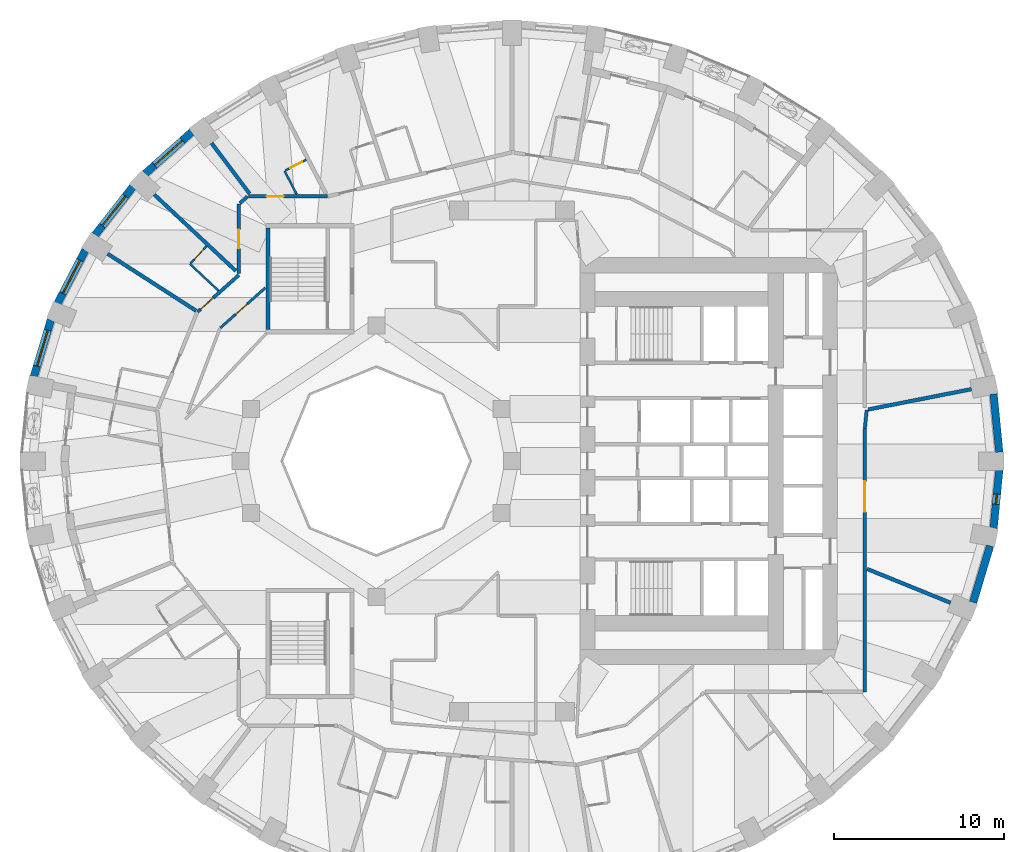
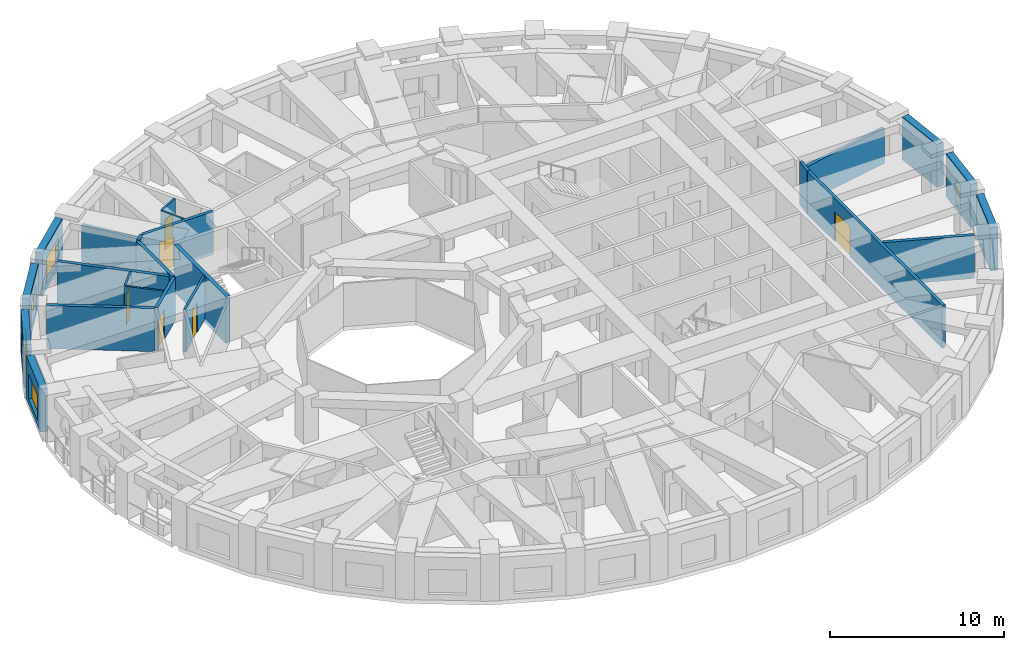
# One storey, part 7 of 13: 24 walls, 7 doors, 5 windows, 12 openings.
"""IFC4 building model written with IfcOpenShell, lengths in metres."""

import ifcopenshell
import ifcopenshell.guid

model = None  # the IFC model being written
_history = None  # IfcOwnerHistory: only IFC2X3 demands one
_inside = {}  # id of a spatial element -> (the spatial element, [elements in it])
_under = {}  # id of a project, library or spatial element -> (it, [spatial elements below it])
_declared = {}  # id of a project -> (the project, [libraries it declares])
_typed = {}  # id of a type object -> (the type object, [elements of that type])
_made_of = {}  # id of a material, layer set ... -> (it, [elements and type objects made of it])


def new_model(schema):
    """Start an empty IFC model of exactly this schema.

    Asked for "IFC4X3", IfcOpenShell would pick the latest addendum, in which some entities
    have other attributes; the version numbers below select the first issue.
    IFC2X3 requires an IfcOwnerHistory on every rooted entity: one is made here for all.
    """
    global model, _history
    if schema == "IFC4X3":
        model = ifcopenshell.file(schema_version=(4, 3, 0, 0))
    else:
        model = ifcopenshell.file(schema=schema)
    _inside.clear()
    _under.clear()
    _declared.clear()
    _typed.clear()
    _made_of.clear()
    _history = None
    if model.schema == "IFC2X3":
        org = make("IfcOrganization", Name="unknown")
        user = make(
            "IfcPersonAndOrganization",
            ThePerson=make("IfcPerson", FamilyName="unknown"),
            TheOrganization=org,
        )
        app = make(
            "IfcApplication",
            ApplicationDeveloper=org,
            Version="unknown",
            ApplicationFullName="unknown",
            ApplicationIdentifier="unknown",
        )
        _history = make(
            "IfcOwnerHistory",
            OwningUser=user,
            OwningApplication=app,
            ChangeAction="ADDED",
            CreationDate=0,
        )
    return model


def make(cls, **values):
    """One entity of the class cls with the attributes given. An attribute that is None is left unset."""
    return model.create_entity(
        cls, **{name: value for name, value in values.items() if value is not None}
    )


def rooted(cls, **values):
    """An entity with a GlobalId (a new one), such as an element, a storey or a relation."""
    return make(cls, GlobalId=ifcopenshell.guid.new(), OwnerHistory=_history, **values)


def si_unit(unit_type, name, prefix=None):
    """IfcSIUnit, for example si_unit("LENGTHUNIT", "METRE", prefix="MILLI")."""
    return make("IfcSIUnit", UnitType=unit_type, Prefix=prefix, Name=name)


def assignment(units):
    """IfcUnitAssignment: the units of a project."""
    return None if units is None else make("IfcUnitAssignment", Units=units)


def point(xyz):
    """IfcCartesianPoint."""
    return None if xyz is None else make("IfcCartesianPoint", Coordinates=xyz)


def direction(xyz):
    """IfcDirection."""
    return None if xyz is None else make("IfcDirection", DirectionRatios=xyz)


def frame(location, z_axis=None, x_axis=None):
    """IfcAxis2Placement3D, a coordinate frame: its origin and axes. An axis left out is left unset."""
    return make(
        "IfcAxis2Placement3D",
        Location=point(location),
        Axis=direction(z_axis),
        RefDirection=direction(x_axis),
    )


def frame_2d(location, x_axis=None):
    """IfcAxis2Placement2D, a coordinate frame in the plane: its origin and x axis."""
    return make(
        "IfcAxis2Placement2D", Location=point(location), RefDirection=direction(x_axis)
    )


def origin():
    """The frame at (0, 0, 0) with its axes left unset."""
    return frame((0.0, 0.0, 0.0))


def place(relative_to, where):
    """IfcLocalPlacement: puts the frame where relative to a parent placement (None: the world)."""
    return make(
        "IfcLocalPlacement", PlacementRelTo=relative_to, RelativePlacement=where
    )


def context(
    kind, dimensions, precision=None, world=None, true_north=None, identifier=None
):
    """IfcGeometricRepresentationContext, for example the 3D "Model" context."""
    return make(
        "IfcGeometricRepresentationContext",
        ContextIdentifier=identifier,
        ContextType=kind,
        CoordinateSpaceDimension=dimensions,
        Precision=precision,
        WorldCoordinateSystem=world,
        TrueNorth=true_north,
    )


def subcontext(parent, identifier, kind, view, scale=None):
    """IfcGeometricRepresentationSubContext, for example "Body" below "Model"."""
    return make(
        "IfcGeometricRepresentationSubContext",
        ContextIdentifier=identifier,
        ContextType=kind,
        ParentContext=parent,
        TargetScale=scale,
        TargetView=view,
    )


def project(units=None, contexts=None):
    """IfcProject with its units and contexts."""
    return rooted(
        "IfcProject",
        Name="project",
        RepresentationContexts=contexts,
        UnitsInContext=assignment(units),
    )


def spatial(cls, under=None, at=None, **own):
    """A site, building, storey or space (cls), placed at a placement, below another one or the project."""
    s = rooted(cls, ObjectPlacement=at, **own)
    if under is not None:
        _under.setdefault(under.id(), (under, []))[1].append(s)
    return s


def profile(cls, at=None, kind="AREA", **sizes):
    """A parametric profile (cls). Its sizes go by their IFC names, for example OverallWidth=200.0."""
    return make(cls, ProfileType=kind, Position=at, **sizes)


def rectangle(**sizes):
    """IfcRectangleProfileDef."""
    return profile("IfcRectangleProfileDef", **sizes)


def extrude(swept, where, along, depth):
    """IfcExtrudedAreaSolid: the profile swept, set in the frame where, extruded along a direction by depth."""
    return make(
        "IfcExtrudedAreaSolid",
        SweptArea=swept,
        Position=where,
        ExtrudedDirection=direction(along),
        Depth=depth,
    )


def shape(context_of_items, identifier, shape_type, items):
    """IfcShapeRepresentation: the items that make up one representation, for example the "Body"."""
    return make(
        "IfcShapeRepresentation",
        ContextOfItems=context_of_items,
        RepresentationIdentifier=identifier,
        RepresentationType=shape_type,
        Items=items,
    )


def material(Name=None, Category=None):
    """IfcMaterial."""
    return make("IfcMaterial", Name=Name, Category=Category)


def layer(
    of_material, thickness, ventilated=None, Name=None, Category=None, Priority=None
):
    """IfcMaterialLayer: one layer of a wall or slab, of a material (None: an air gap)."""
    return make(
        "IfcMaterialLayer",
        Material=of_material,
        LayerThickness=thickness,
        IsVentilated=ventilated,
        Name=Name,
        Category=Category,
        Priority=Priority,
    )


def layer_set(layers, Name=None):
    """IfcMaterialLayerSet."""
    return make("IfcMaterialLayerSet", MaterialLayers=layers, LayerSetName=Name)


def made_of(thing, what):
    """Note that an element or type object is made of a material, layer set ...; save() writes the relation."""
    if what is not None:
        _made_of.setdefault(what.id(), (what, []))[1].append(thing)
    return thing


def type_object(cls, material=None, **own):
    """A type object (cls), such as IfcWallType, which elements share."""
    return made_of(rooted(cls, **own), material)


def element(
    cls,
    number,
    at=None,
    inside=None,
    cuts=None,
    type_object=None,
    material=None,
    context=None,
    identifier="Body",
    shape_type=None,
    held_by="IfcProductDefinitionShape",
    body=None,
    shapes=None,
    **own,
):
    """One element of the class cls, such as IfcWall. Its Tag is "e" and its number.

    at: its placement. inside: the storey or other place that contains it. cuts: it is an
    opening in that element (IfcRelVoidsElement). A single representation is given by context,
    identifier, shape_type and body (its items); several are given by shapes. held_by: the class
    of the entity that holds the representations. save() writes the other relations.
    """
    e = rooted(cls, Tag="e%d" % number, ObjectPlacement=at, **own)
    if body is not None:
        shapes = [shape(context, identifier, shape_type, body)]
    if shapes is not None:
        e.Representation = make(held_by, Representations=shapes)
    if inside is not None:
        _inside.setdefault(inside.id(), (inside, []))[1].append(e)
    if cuts is not None:
        rooted(
            "IfcRelVoidsElement", RelatingBuildingElement=cuts, RelatedOpeningElement=e
        )
    if type_object is not None:
        _typed.setdefault(type_object.id(), (type_object, []))[1].append(e)
    return made_of(e, material)


def fill(opening, filler):
    """IfcRelFillsElement: the door or window that sits in an opening."""
    return rooted(
        "IfcRelFillsElement",
        RelatingOpeningElement=opening,
        RelatedBuildingElement=filler,
    )


def aggregate(whole, parts):
    """IfcRelAggregates: a whole, such as a stair, and the parts it consists of."""
    return rooted("IfcRelAggregates", RelatingObject=whole, RelatedObjects=parts)


def save(model, path):
    """Write the relations noted so far, then the file.

    IfcRelAggregates (storeys below a building ...), IfcRelContainedInSpatialStructure (elements
    in a storey), IfcRelDefinesByType, IfcRelAssociatesMaterial and IfcRelDeclares: one each for
    every whole, place, type object, material and project.
    """
    for whole, parts in _under.values():
        aggregate(whole, parts)
    for where, things in _inside.values():
        rooted(
            "IfcRelContainedInSpatialStructure",
            RelatedElements=things,
            RelatingStructure=where,
        )
    for kind, things in _typed.values():
        rooted("IfcRelDefinesByType", RelatedObjects=things, RelatingType=kind)
    for what, things in _made_of.values():
        rooted("IfcRelAssociatesMaterial", RelatedObjects=things, RelatingMaterial=what)
    for by, libraries in _declared.values():
        rooted("IfcRelDeclares", RelatingContext=by, RelatedDefinitions=libraries)
    model.write(path)


model = new_model("IFC4")

# Units and contexts
model_context = context("Model", 3, precision=1e-05, world=origin(), true_north=direction((0.0, 1.0)))
body_context = subcontext(model_context, "Body", "Model", "MODEL_VIEW")
ifc_project = project(units=[si_unit("LENGTHUNIT", "METRE"), si_unit("AREAUNIT", "SQUARE_METRE"), si_unit("VOLUMEUNIT", "CUBIC_METRE"), si_unit("PLANEANGLEUNIT", "RADIAN"), si_unit("MASSUNIT", "GRAM", prefix="KILO")], contexts=[model_context])

# Site, building, storey
site_placement = place(None, origin())
site = spatial("IfcSite", under=ifc_project, at=site_placement, CompositionType="ELEMENT")
building_placement = place(site_placement, origin())
building = spatial("IfcBuilding", under=site, at=building_placement, Name="Taillehof Tower", CompositionType="ELEMENT")
storey_placement = place(building_placement, frame((0.0, 0.0, 64.60009765625)))
storey = spatial("IfcBuildingStorey", under=building, at=storey_placement, Name="L17", CompositionType="ELEMENT", Elevation=64.60009765625)

# Wall
ifc_material_1 = material(Name="Brick masonry", Category="masonry")
ifc_layer_1 = layer(ifc_material_1, 0.449951171875)
ifc_layer_set_1 = layer_set([ifc_layer_1], Name="Brick infill wall 450")
wall_type_1 = type_object("IfcWallType", Name="Brick infill wall 450", PredefinedType="SOLIDWALL", material=ifc_layer_set_1)
wall_1_placement = place(storey_placement, frame((28.721923828125, 0.530029296875, 0.0), z_axis=(0.0, 0.0, 1.0), x_axis=(-0.097389581596, 0.995246336038, 0.0)))
element("IfcWall", 1, at=wall_1_placement, inside=storey, type_object=wall_type_1, Name="Brick wall L17 bay 1", PredefinedType="SOLIDWALL", context=body_context, shape_type="SweptSolid", body=[
    extrude(rectangle(XDim=3.44189453125, YDim=0.449951171875, at=frame_2d((1.720947265625, 0.0))), origin(), (0.0, 0.0, 1.0), 3.02001953125),
])

# Wall, opening, window
wall_2_placement = place(storey_placement, frame((-18.87060546875, 19.406982421875, 0.0), z_axis=(0.0, 0.0, 1.0), x_axis=(-0.745526233716, -0.66647628228, 0.0)))
wall_2 = element("IfcWall", 2, at=wall_2_placement, inside=storey, type_object=wall_type_1, Name="Brick wall L17 bay 14", PredefinedType="SOLIDWALL", context=body_context, shape_type="SweptSolid", body=[
    extrude(rectangle(XDim=3.69677734375, YDim=0.449951171875, at=frame_2d((1.848388671875, 0.0))), origin(), (0.0, 0.0, 1.0), 3.02001953125),
])
opening_1_placement = place(wall_2_placement, frame((0.74853515625, 0.0, 0.39990234375)))
opening_1 = element("IfcOpeningElement", 3, at=opening_1_placement, cuts=wall_2, Name="Opening W1", PredefinedType="OPENING", context=body_context, shape_type="SweptSolid", body=[
    extrude(rectangle(XDim=2.199951171875, YDim=1.75, at=frame_2d((1.10009765625, 0.875))), frame((0.0, 0.23486328125, 0.0), z_axis=(0.0, -1.0, 0.0), x_axis=(1.0, 0.0, 0.0)), (0.0, 0.0, 1.0), 0.469970703125),
])
ifc_material_2 = material(Name="Aluminium window frame with clear double glazing", Category="aluminium")
window_type_1 = type_object("IfcWindowType", Name="Deep-set window 2200x1750", PartitioningType="SINGLE_PANEL", PredefinedType="WINDOW", material=ifc_material_2)
window_1_placement = place(opening_1_placement, origin())
window_1 = element("IfcWindow", 4, at=window_1_placement, inside=storey, type_object=window_type_1, Name="W1", OverallHeight=1.75, OverallWidth=2.199951171875, PartitioningType="SINGLE_PANEL", PredefinedType="WINDOW", context=body_context, shape_type="SweptSolid", body=[
    extrude(rectangle(XDim=2.199951171875, YDim=1.75, at=frame_2d((1.10009765625, 0.875))), frame((0.0, 0.034912109375, 0.0), z_axis=(0.0, -1.0, 0.0), x_axis=(1.0, 0.0, 0.0)), (0.0, 0.0, 1.0), 0.06005859375),
])
fill(opening_1, window_1)

wall_3_placement = place(storey_placement, frame((-22.3515625, 16.169677734375, 0.0), z_axis=(0.0, 0.0, 1.0), x_axis=(-0.616661975264, -0.787228053529, 0.0)))
wall_3 = element("IfcWall", 5, at=wall_3_placement, inside=storey, type_object=wall_type_1, Name="Brick wall L17 bay 15", PredefinedType="SOLIDWALL", context=body_context, shape_type="SweptSolid", body=[
    extrude(rectangle(XDim=3.60986328125, YDim=0.449951171875, at=frame_2d((1.804931640625, 0.0))), origin(), (0.0, 0.0, 1.0), 3.02001953125),
])
opening_2_placement = place(wall_3_placement, frame((0.704833984375, 0.0, 0.39990234375)))
opening_2 = element("IfcOpeningElement", 6, at=opening_2_placement, cuts=wall_3, Name="Opening W1", PredefinedType="OPENING", context=body_context, shape_type="SweptSolid", body=[
    extrude(rectangle(XDim=2.199951171875, YDim=1.75, at=frame_2d((1.10009765625, 0.875))), frame((0.0, 0.23486328125, 0.0), z_axis=(0.0, -1.0, 0.0), x_axis=(1.0, 0.0, 0.0)), (0.0, 0.0, 1.0), 0.469970703125),
])
window_2_placement = place(opening_2_placement, origin())
window_2 = element("IfcWindow", 7, at=window_2_placement, inside=storey, type_object=window_type_1, Name="W1", OverallHeight=1.75, OverallWidth=2.199951171875, PartitioningType="SINGLE_PANEL", PredefinedType="WINDOW", context=body_context, shape_type="SweptSolid", body=[
    extrude(rectangle(XDim=2.199951171875, YDim=1.75, at=frame_2d((1.10009765625, 0.875))), frame((0.0, 0.034912109375, 0.0), z_axis=(0.0, -1.0, 0.0), x_axis=(1.0, 0.0, 0.0)), (0.0, 0.0, 1.0), 0.06005859375),
])
fill(opening_2, window_2)

wall_4_placement = place(storey_placement, frame((-25.152099609375, 12.436767578125, 0.0), z_axis=(0.0, 0.0, 1.0), x_axis=(-0.462492775226, -0.886623050041, 0.0)))
wall_4 = element("IfcWall", 8, at=wall_4_placement, inside=storey, type_object=wall_type_1, Name="Brick wall L17 bay 16", PredefinedType="SOLIDWALL", context=body_context, shape_type="SweptSolid", body=[
    extrude(rectangle(XDim=3.531982421875, YDim=0.449951171875, at=frame_2d((1.76611328125, 0.0))), origin(), (0.0, 0.0, 1.0), 3.02001953125),
])
opening_3_placement = place(wall_4_placement, frame((0.666015625, 0.0, 0.39990234375)))
opening_3 = element("IfcOpeningElement", 9, at=opening_3_placement, cuts=wall_4, Name="Opening W1", PredefinedType="OPENING", context=body_context, shape_type="SweptSolid", body=[
    extrude(rectangle(XDim=2.199951171875, YDim=1.75, at=frame_2d((1.10009765625, 0.875))), frame((0.0, 0.23486328125, 0.0), z_axis=(0.0, -1.0, 0.0), x_axis=(1.0, 0.0, 0.0)), (0.0, 0.0, 1.0), 0.469970703125),
])
window_3_placement = place(opening_3_placement, origin())
window_3 = element("IfcWindow", 10, at=window_3_placement, inside=storey, type_object=window_type_1, Name="W1", OverallHeight=1.75, OverallWidth=2.199951171875, PartitioningType="SINGLE_PANEL", PredefinedType="WINDOW", context=body_context, shape_type="SweptSolid", body=[
    extrude(rectangle(XDim=2.199951171875, YDim=1.75, at=frame_2d((1.10009765625, 0.875))), frame((0.0, 0.034912109375, 0.0), z_axis=(0.0, -1.0, 0.0), x_axis=(1.0, 0.0, 0.0)), (0.0, 0.0, 1.0), 0.06005859375),
])
fill(opening_3, window_3)

wall_5_placement = place(storey_placement, frame((-27.184814453125, 8.322998046875, 0.0), z_axis=(0.0, 0.0, 1.0), x_axis=(-0.287064133733, -0.957911364963, 0.0)))
wall_5 = element("IfcWall", 11, at=wall_5_placement, inside=storey, type_object=wall_type_1, Name="Brick wall L17 bay 17", PredefinedType="SOLIDWALL", context=body_context, shape_type="SweptSolid", body=[
    extrude(rectangle(XDim=3.473388671875, YDim=0.449951171875, at=frame_2d((1.73681640625, 0.0))), origin(), (0.0, 0.0, 1.0), 3.02001953125),
])
opening_4_placement = place(wall_5_placement, frame((0.63671875, 0.0, 0.39990234375)))
opening_4 = element("IfcOpeningElement", 12, at=opening_4_placement, cuts=wall_5, Name="Opening W1", PredefinedType="OPENING", context=body_context, shape_type="SweptSolid", body=[
    extrude(rectangle(XDim=2.199951171875, YDim=1.75, at=frame_2d((1.10009765625, 0.875))), frame((0.0, 0.23486328125, 0.0), z_axis=(0.0, -1.0, 0.0), x_axis=(1.0, 0.0, 0.0)), (0.0, 0.0, 1.0), 0.469970703125),
])
window_4_placement = place(opening_4_placement, origin())
window_4 = element("IfcWindow", 13, at=window_4_placement, inside=storey, type_object=window_type_1, Name="W1", OverallHeight=1.75, OverallWidth=2.199951171875, PartitioningType="SINGLE_PANEL", PredefinedType="WINDOW", context=body_context, shape_type="SweptSolid", body=[
    extrude(rectangle(XDim=2.199951171875, YDim=1.75, at=frame_2d((1.10009765625, 0.875))), frame((0.0, 0.034912109375, 0.0), z_axis=(0.0, -1.0, 0.0), x_axis=(1.0, 0.0, 0.0)), (0.0, 0.0, 1.0), 0.06005859375),
])
fill(opening_4, window_4)

# Wall
wall_6_placement = place(storey_placement, frame((27.184814453125, -8.322998046875, 0.0), z_axis=(0.0, 0.0, 1.0), x_axis=(0.287064133733, 0.957911364963, 0.0)))
element("IfcWall", 14, at=wall_6_placement, inside=storey, type_object=wall_type_1, Name="Brick wall L17 bay 35", PredefinedType="SOLIDWALL", context=body_context, shape_type="SweptSolid", body=[
    extrude(rectangle(XDim=3.473388671875, YDim=0.449951171875, at=frame_2d((1.73681640625, 0.0))), origin(), (0.0, 0.0, 1.0), 3.02001953125),
])

# Wall, opening, window
wall_7_placement = place(storey_placement, frame((28.38671875, -3.95556640625, 0.0), z_axis=(0.0, 0.0, 1.0), x_axis=(0.097389581596, 0.995246336038, 0.0)))
wall_7 = element("IfcWall", 15, at=wall_7_placement, inside=storey, type_object=wall_type_1, Name="Brick wall L17 bay 36", PredefinedType="SOLIDWALL", context=body_context, shape_type="SweptSolid", body=[
    extrude(rectangle(XDim=3.44189453125, YDim=0.449951171875, at=frame_2d((1.720947265625, 0.0))), origin(), (0.0, 0.0, 1.0), 3.02001953125),
])
opening_5_placement = place(wall_7_placement, frame((1.4208984375, 0.0, 0.39990234375)))
opening_5 = element("IfcOpeningElement", 16, at=opening_5_placement, cuts=wall_7, Name="Opening W6", PredefinedType="OPENING", context=body_context, shape_type="SweptSolid", body=[
    extrude(rectangle(XDim=0.60009765625, YDim=1.75, at=frame_2d((0.300048828125, 0.875))), frame((0.0, 0.23486328125, 0.0), z_axis=(0.0, -1.0, 0.0), x_axis=(1.0, 0.0, 0.0)), (0.0, 0.0, 1.0), 0.469970703125),
])
ifc_material_3 = material(Name="Aluminium window frame with clear double glazing", Category="aluminium")
window_type_2 = type_object("IfcWindowType", Name="Slot window 600x1750", PartitioningType="SINGLE_PANEL", PredefinedType="WINDOW", material=ifc_material_3)
window_5_placement = place(opening_5_placement, origin())
window_5 = element("IfcWindow", 17, at=window_5_placement, inside=storey, type_object=window_type_2, Name="W6", OverallHeight=1.75, OverallWidth=0.60009765625, PartitioningType="SINGLE_PANEL", PredefinedType="WINDOW", context=body_context, shape_type="SweptSolid", body=[
    extrude(rectangle(XDim=0.60009765625, YDim=1.75, at=frame_2d((0.300048828125, 0.875))), frame((0.0, 0.034912109375, 0.0), z_axis=(0.0, -1.0, 0.0), x_axis=(1.0, 0.0, 0.0)), (0.0, 0.0, 1.0), 0.06005859375),
])
fill(opening_5, window_5)

# Wall
ifc_material_4 = material(Name="Gypsum board on steel studs, two layers each side", Category="steel")
ifc_layer_2 = layer(ifc_material_4, 0.199951171875)
ifc_layer_set_2 = layer_set([ifc_layer_2], Name="Compartment wall corridor 200")
wall_type_2 = type_object("IfcWallType", Name="Compartment wall corridor 200", PredefinedType="PARTITIONING", material=ifc_layer_set_2)
wall_8_placement = place(storey_placement, frame((20.906005859375, 3.009521484375, 0.0), z_axis=(0.0, 0.0, 1.0), x_axis=(-0.09782971129, -0.995203169001, 0.0)))
element("IfcWall", 18, at=wall_8_placement, inside=storey, type_object=wall_type_2, Name="Compartment wall", PredefinedType="PARTITIONING", context=body_context, shape_type="SweptSolid", body=[
    extrude(rectangle(XDim=1.0830078125, YDim=0.199951171875, at=frame_2d((0.54150390625, 0.0))), origin(), (0.0, 0.0, 1.0), 3.02001953125),
])

# Wall, opening, door
wall_9_placement = place(storey_placement, frame((20.800048828125, 1.91162109375, 0.0), z_axis=(0.0, 0.0, 1.0), x_axis=(0.0, -1.0, 0.0)))
wall_9 = element("IfcWall", 19, at=wall_9_placement, inside=storey, type_object=wall_type_2, Name="Compartment wall", PredefinedType="PARTITIONING", context=body_context, shape_type="SweptSolid", body=[
    extrude(rectangle(XDim=15.51171875, YDim=0.199951171875, at=frame_2d((7.755859375, 0.0))), origin(), (0.0, 0.0, 1.0), 3.02001953125),
])
opening_6_placement = place(wall_9_placement, frame((3.109619140625, 0.0, 0.0)))
opening_6 = element("IfcOpeningElement", 20, at=opening_6_placement, cuts=wall_9, Name="Opening D1776", PredefinedType="OPENING", context=body_context, shape_type="SweptSolid", body=[
    extrude(rectangle(XDim=1.800048828125, YDim=2.10009765625, at=frame_2d((0.89990234375, 1.050048828125))), frame((0.0, 0.10986328125, 0.0), z_axis=(0.0, -1.0, 0.0), x_axis=(1.0, 0.0, 0.0)), (0.0, 0.0, 1.0), 0.219970703125),
])
ifc_material_5 = material(Name="Timber door leaf in steel frame", Category="steel")
door_type_1 = type_object("IfcDoorType", Name="Lounge and meeting room double door EI 30 1800 x 2100", OperationType="SINGLE_SWING_LEFT", PredefinedType="DOOR", material=ifc_material_5)
door_1_placement = place(opening_6_placement, origin())
door_1 = element("IfcDoor", 21, at=door_1_placement, inside=storey, type_object=door_type_1, Name="D1776", OperationType="DOUBLE_DOOR_SINGLE_SWING", OverallHeight=2.10009765625, OverallWidth=1.800048828125, PredefinedType="DOOR", context=body_context, shape_type="SweptSolid", body=[
    extrude(rectangle(XDim=1.800048828125, YDim=2.10009765625, at=frame_2d((0.89990234375, 1.050048828125))), frame((0.0, 0.02490234375, 0.0), z_axis=(0.0, -1.0, 0.0), x_axis=(1.0, 0.0, 0.0)), (0.0, 0.0, 1.0), 0.050048828125),
])
fill(opening_6, door_1)

wall_10_placement = place(storey_placement, frame((-18.527099609375, 8.8037109375, 0.0), z_axis=(0.0, 0.0, 1.0), x_axis=(0.746493000154, 0.665393267716, 0.0)))
wall_10 = element("IfcWall", 22, at=wall_10_placement, inside=storey, type_object=wall_type_2, Name="Compartment wall", PredefinedType="PARTITIONING", context=body_context, shape_type="SweptSolid", body=[
    extrude(rectangle(XDim=3.251220703125, YDim=0.199951171875, at=frame_2d((1.62548828125, 0.0))), origin(), (0.0, 0.0, 1.0), 3.02001953125),
])
opening_7_placement = place(wall_10_placement, frame((0.219970703125, 0.0, 0.0)))
opening_7 = element("IfcOpeningElement", 23, at=opening_7_placement, cuts=wall_10, Name="Opening D1753", PredefinedType="OPENING", context=body_context, shape_type="SweptSolid", body=[
    extrude(rectangle(XDim=1.0, YDim=2.10009765625, at=frame_2d((0.5, 1.050048828125))), frame((0.0, 0.10986328125, 0.0), z_axis=(0.0, -1.0, 0.0), x_axis=(1.0, 0.0, 0.0)), (0.0, 0.0, 1.0), 0.219970703125),
])
ifc_material_6 = material(Name="Timber door leaf in steel frame", Category="steel")
door_type_2 = type_object("IfcDoorType", Name="Guest room door EI 30 1000 x 2100", OperationType="SINGLE_SWING_LEFT", PredefinedType="DOOR", material=ifc_material_6)
door_2_placement = place(opening_7_placement, origin())
door_2 = element("IfcDoor", 24, at=door_2_placement, inside=storey, type_object=door_type_2, Name="D1753", OperationType="SINGLE_SWING_LEFT", OverallHeight=2.10009765625, OverallWidth=1.0, PredefinedType="DOOR", context=body_context, shape_type="SweptSolid", body=[
    extrude(rectangle(XDim=1.0, YDim=2.10009765625, at=frame_2d((0.5, 1.050048828125))), frame((0.0, 0.02490234375, 0.0), z_axis=(0.0, -1.0, 0.0), x_axis=(1.0, 0.0, 0.0)), (0.0, 0.0, 1.0), 0.050048828125),
])
fill(opening_7, door_2)

wall_11_placement = place(storey_placement, frame((-16.10009765625, 11.047119140625, 0.0), z_axis=(0.0, 0.0, 1.0), x_axis=(0.0, 1.0, 0.0)))
wall_11 = element("IfcWall", 25, at=wall_11_placement, inside=storey, type_object=wall_type_2, Name="Compartment wall", PredefinedType="PARTITIONING", context=body_context, shape_type="SweptSolid", body=[
    extrude(rectangle(XDim=4.096923828125, YDim=0.199951171875, at=frame_2d((2.04833984375, 0.0))), origin(), (0.0, 0.0, 1.0), 3.02001953125),
])
opening_8_placement = place(wall_11_placement, frame((1.49853515625, 0.0, 0.0)))
opening_8 = element("IfcOpeningElement", 26, at=opening_8_placement, cuts=wall_11, Name="Opening D1752", PredefinedType="OPENING", context=body_context, shape_type="SweptSolid", body=[
    extrude(rectangle(XDim=1.10009765625, YDim=2.10009765625, at=frame_2d((0.550048828125, 1.050048828125))), frame((0.0, 0.10986328125, 0.0), z_axis=(0.0, -1.0, 0.0), x_axis=(1.0, 0.0, 0.0)), (0.0, 0.0, 1.0), 0.219970703125),
])
ifc_material_7 = material(Name="Timber door leaf in steel frame", Category="steel")
door_type_3 = type_object("IfcDoorType", Name="Suite entrance door EI 30 1100 x 2100", OperationType="SINGLE_SWING_LEFT", PredefinedType="DOOR", material=ifc_material_7)
door_3_placement = place(opening_8_placement, origin())
door_3 = element("IfcDoor", 27, at=door_3_placement, inside=storey, type_object=door_type_3, Name="D1752", OperationType="SINGLE_SWING_LEFT", OverallHeight=2.10009765625, OverallWidth=1.10009765625, PredefinedType="DOOR", context=body_context, shape_type="SweptSolid", body=[
    extrude(rectangle(XDim=1.10009765625, YDim=2.10009765625, at=frame_2d((0.550048828125, 1.050048828125))), frame((0.0, 0.02490234375, 0.0), z_axis=(0.0, -1.0, 0.0), x_axis=(1.0, 0.0, 0.0)), (0.0, 0.0, 1.0), 0.050048828125),
])
fill(opening_8, door_3)

# Wall
wall_12_placement = place(storey_placement, frame((-16.04052734375, 15.19775390625, 0.0), z_axis=(0.0, 0.0, 1.0), x_axis=(0.744722115519, 0.667374685359, 0.0)))
element("IfcWall", 28, at=wall_12_placement, inside=storey, type_object=wall_type_2, Name="Compartment wall", PredefinedType="PARTITIONING", context=body_context, shape_type="SweptSolid", body=[
    extrude(rectangle(XDim=0.602783203125, YDim=0.199951171875, at=frame_2d((0.30126953125, 0.0))), origin(), (0.0, 0.0, 1.0), 3.02001953125),
])

# Wall, opening, door
wall_13_placement = place(storey_placement, frame((-15.531494140625, 15.60009765625, 0.0), z_axis=(0.0, 0.0, 1.0), x_axis=(1.0, 0.0, 0.0)))
wall_13 = element("IfcWall", 29, at=wall_13_placement, inside=storey, type_object=wall_type_2, Name="Compartment wall", PredefinedType="PARTITIONING", context=body_context, shape_type="SweptSolid", body=[
    extrude(rectangle(XDim=4.660400390625, YDim=0.199951171875, at=frame_2d((2.330078125, 0.0))), origin(), (0.0, 0.0, 1.0), 3.02001953125),
])
opening_9_placement = place(wall_13_placement, frame((1.07421875, 0.0, 0.0)))
opening_9 = element("IfcOpeningElement", 30, at=opening_9_placement, cuts=wall_13, Name="Opening D1750", PredefinedType="OPENING", context=body_context, shape_type="SweptSolid", body=[
    extrude(rectangle(XDim=1.0, YDim=2.10009765625, at=frame_2d((0.5, 1.050048828125))), frame((0.0, 0.10986328125, 0.0), z_axis=(0.0, -1.0, 0.0), x_axis=(1.0, 0.0, 0.0)), (0.0, 0.0, 1.0), 0.219970703125),
])
door_4_placement = place(opening_9_placement, origin())
door_4 = element("IfcDoor", 31, at=door_4_placement, inside=storey, type_object=door_type_2, Name="D1750", OperationType="SINGLE_SWING_RIGHT", OverallHeight=2.10009765625, OverallWidth=1.0, PredefinedType="DOOR", context=body_context, shape_type="SweptSolid", body=[
    extrude(rectangle(XDim=1.0, YDim=2.10009765625, at=frame_2d((0.5, 1.050048828125))), frame((0.0, 0.02490234375, 0.0), z_axis=(0.0, -1.0, 0.0), x_axis=(1.0, 0.0, 0.0)), (0.0, 0.0, 1.0), 0.050048828125),
])
fill(opening_9, door_4)

# Walls
ifc_material_8 = material(Name="Gypsum board on double steel studs with mineral wool", Category="steel")
ifc_layer_3 = layer(ifc_material_8, 0.219970703125)
ifc_layer_set_3 = layer_set([ifc_layer_3], Name="Compartment wall guest room 220")
wall_type_3 = type_object("IfcWallType", Name="Compartment wall guest room 220", PredefinedType="PARTITIONING", material=ifc_layer_set_3)
wall_14_placement = place(storey_placement, frame((27.0849609375, 4.239990234375, 0.0), z_axis=(0.0, 0.0, 1.0), x_axis=(-0.981208260902, -0.192951674616, 0.0)))
element("IfcWall", 32, at=wall_14_placement, inside=storey, type_object=wall_type_3, Name="Compartment wall", PredefinedType="PARTITIONING", context=body_context, shape_type="SweptSolid", body=[
    extrude(rectangle(XDim=6.203857421875, YDim=0.219970703125, at=frame_2d((3.10205078125, 0.0))), origin(), (0.0, 0.0, 1.0), 2.469970703125),
])
wall_15_placement = place(storey_placement, frame((-17.707763671875, 18.7431640625, 0.0), z_axis=(0.0, 0.0, 1.0), x_axis=(0.601172757903, -0.799119086967, 0.0)))
element("IfcWall", 33, at=wall_15_placement, inside=storey, type_object=wall_type_3, Name="Compartment wall", PredefinedType="PARTITIONING", context=body_context, shape_type="SweptSolid", body=[
    extrude(rectangle(XDim=3.728515625, YDim=0.219970703125, at=frame_2d((1.8642578125, 0.0))), origin(), (0.0, 0.0, 1.0), 2.56982421875),
])
wall_16_placement = place(storey_placement, frame((-21.09326171875, 15.7177734375, 0.0), z_axis=(0.0, 0.0, 1.0), x_axis=(0.73009284205, -0.683347965525, 0.0)))
element("IfcWall", 34, at=wall_16_placement, inside=storey, type_object=wall_type_3, Name="Compartment wall", PredefinedType="PARTITIONING", context=body_context, shape_type="SweptSolid", body=[
    extrude(rectangle(XDim=6.6015625, YDim=0.219970703125, at=frame_2d((3.30078125, 0.0))), origin(), (0.0, 0.0, 1.0), 3.02001953125),
])
wall_17_placement = place(storey_placement, frame((-23.834716796875, 12.218994140625, 0.0), z_axis=(0.0, 0.0, 1.0), x_axis=(0.840743714791, -0.541433288633, 0.0)))
element("IfcWall", 35, at=wall_17_placement, inside=storey, type_object=wall_type_3, Name="Compartment wall", PredefinedType="PARTITIONING", context=body_context, shape_type="SweptSolid", body=[
    extrude(rectangle(XDim=6.207275390625, YDim=0.219970703125, at=frame_2d((3.103515625, 0.0))), origin(), (0.0, 0.0, 1.0), 3.02001953125),
])
wall_18_placement = place(storey_placement, frame((25.851318359375, -8.35400390625, 0.0), z_axis=(0.0, 0.0, 1.0), x_axis=(-0.926546814299, 0.376179479653, 0.0)))
element("IfcWall", 36, at=wall_18_placement, inside=storey, type_object=wall_type_3, Name="Compartment wall", PredefinedType="PARTITIONING", context=body_context, shape_type="SweptSolid", body=[
    extrude(rectangle(XDim=5.3037109375, YDim=0.219970703125, at=frame_2d((2.65185546875, 0.0))), origin(), (0.0, 0.0, 1.0), 3.02001953125),
])

# Wall, opening, door
ifc_material_9 = material(Name="Gypsum board on steel studs, two layers each side", Category="steel")
ifc_layer_4 = layer(ifc_material_9, 0.14990234375)
ifc_layer_set_4 = layer_set([ifc_layer_4], Name="Compartment wall service room 150")
wall_type_4 = type_object("IfcWallType", Name="Compartment wall service room 150", PredefinedType="PARTITIONING", material=ifc_layer_set_4)
wall_19_placement = place(storey_placement, frame((-17.185302734375, 7.8564453125, 0.0), z_axis=(0.0, 0.0, 1.0), x_axis=(0.746480516634, 0.665407272493, 0.0)))
wall_19 = element("IfcWall", 37, at=wall_19_placement, inside=storey, type_object=wall_type_4, Name="Compartment wall", PredefinedType="PARTITIONING", context=body_context, shape_type="SweptSolid", body=[
    extrude(rectangle(XDim=3.541259765625, YDim=0.14990234375, at=frame_2d((1.7705078125, 0.0))), origin(), (0.0, 0.0, 1.0), 3.02001953125),
])
opening_10_placement = place(wall_19_placement, frame((1.220703125, 0.0, 0.0)))
opening_10 = element("IfcOpeningElement", 38, at=opening_10_placement, cuts=wall_19, Name="Opening D1780", PredefinedType="OPENING", context=body_context, shape_type="SweptSolid", body=[
    extrude(rectangle(XDim=0.89990234375, YDim=2.10009765625, at=frame_2d((0.449951171875, 1.050048828125))), frame((0.0, 0.0849609375, 0.0), z_axis=(0.0, -1.0, 0.0), x_axis=(1.0, 0.0, 0.0)), (0.0, 0.0, 1.0), 0.169921875),
])
ifc_material_10 = material(Name="Timber door leaf in steel frame", Category="steel")
door_type_4 = type_object("IfcDoorType", Name="Service room door EI 30 900 x 2100", OperationType="SINGLE_SWING_LEFT", PredefinedType="DOOR", material=ifc_material_10)
door_5_placement = place(opening_10_placement, origin())
door_5 = element("IfcDoor", 39, at=door_5_placement, inside=storey, type_object=door_type_4, Name="D1780", OperationType="SINGLE_SWING_RIGHT", OverallHeight=2.10009765625, OverallWidth=0.89990234375, PredefinedType="DOOR", context=body_context, shape_type="SweptSolid", body=[
    extrude(rectangle(XDim=0.89990234375, YDim=2.10009765625, at=frame_2d((0.449951171875, 1.050048828125))), frame((0.0, 0.02490234375, 0.0), z_axis=(0.0, -1.0, 0.0), x_axis=(1.0, 0.0, 0.0)), (0.0, 0.0, 1.0), 0.050048828125),
])
fill(opening_10, door_5)

# Walls
ifc_material_11 = material(Name="Gypsum board on steel studs, moisture resistant", Category="steel")
ifc_layer_5 = layer(ifc_material_11, 0.1201171875)
ifc_layer_set_5 = layer_set([ifc_layer_5], Name="En-suite wall 120")
wall_type_5 = type_object("IfcWallType", Name="En-suite wall 120", PredefinedType="PARTITIONING", material=ifc_layer_set_5)
wall_20_placement = place(storey_placement, frame((-12.687255859375, 15.718017578125, 0.0), z_axis=(0.0, 0.0, 1.0), x_axis=(-0.459775159711, 0.888035361071, 0.0)))
element("IfcWall", 40, at=wall_20_placement, inside=storey, type_object=wall_type_5, Name="En-suite wall", PredefinedType="PARTITIONING", context=body_context, shape_type="SweptSolid", body=[
    extrude(rectangle(XDim=1.56494140625, YDim=0.1201171875, at=frame_2d((0.782470703125, 0.0))), origin(), (0.0, 0.0, 1.0), 3.02001953125),
])
wall_21_placement = place(storey_placement, frame((-17.292724609375, 10.037841796875, 0.0), z_axis=(0.0, 0.0, 1.0), x_axis=(-0.730059424734, 0.683383667026, 0.0)))
element("IfcWall", 41, at=wall_21_placement, inside=storey, type_object=wall_type_5, Name="En-suite wall", PredefinedType="PARTITIONING", context=body_context, shape_type="SweptSolid", body=[
    extrude(rectangle(XDim=2.317138671875, YDim=0.1201171875, at=frame_2d((1.15869140625, 0.0))), origin(), (0.0, 0.0, 1.0), 3.02001953125),
])

# Wall, opening, door
wall_22_placement = place(storey_placement, frame((-13.353271484375, 17.135498046875, 0.0), z_axis=(0.0, 0.0, 1.0), x_axis=(0.888075681402, 0.459697274413, 0.0)))
wall_22 = element("IfcWall", 42, at=wall_22_placement, inside=storey, type_object=wall_type_5, Name="En-suite wall", PredefinedType="PARTITIONING", context=body_context, shape_type="SweptSolid", body=[
    extrude(rectangle(XDim=1.3798828125, YDim=0.1201171875, at=frame_2d((0.68994140625, 0.0))), origin(), (0.0, 0.0, 1.0), 3.02001953125),
])
opening_11_placement = place(wall_22_placement, frame((0.314697265625, 0.0, 0.0)))
opening_11 = element("IfcOpeningElement", 43, at=opening_11_placement, cuts=wall_22, Name="Opening D1751", PredefinedType="OPENING", context=body_context, shape_type="SweptSolid", body=[
    extrude(rectangle(XDim=0.800048828125, YDim=2.10009765625, at=frame_2d((0.39990234375, 1.050048828125))), frame((0.0, 0.070068359375, 0.0), z_axis=(0.0, -1.0, 0.0), x_axis=(1.0, 0.0, 0.0)), (0.0, 0.0, 1.0), 0.14013671875),
])
ifc_material_12 = material(Name="Timber door leaf in steel frame", Category="steel")
door_type_5 = type_object("IfcDoorType", Name="En-suite door 800 x 2100", OperationType="SINGLE_SWING_LEFT", PredefinedType="DOOR", material=ifc_material_12)
door_6_placement = place(opening_11_placement, origin())
door_6 = element("IfcDoor", 44, at=door_6_placement, inside=storey, type_object=door_type_5, Name="D1751", OperationType="SINGLE_SWING_RIGHT", OverallHeight=2.10009765625, OverallWidth=0.800048828125, PredefinedType="DOOR", context=body_context, shape_type="SweptSolid", body=[
    extrude(rectangle(XDim=0.800048828125, YDim=2.10009765625, at=frame_2d((0.39990234375, 1.050048828125))), frame((0.0, 0.02490234375, 0.0), z_axis=(0.0, -1.0, 0.0), x_axis=(1.0, 0.0, 0.0)), (0.0, 0.0, 1.0), 0.050048828125),
])
fill(opening_11, door_6)

wall_23_placement = place(storey_placement, frame((-18.943359375, 11.665283203125, 0.0), z_axis=(0.0, 0.0, 1.0), x_axis=(0.683364094355, 0.730077745549, 0.0)))
wall_23 = element("IfcWall", 45, at=wall_23_placement, inside=storey, type_object=wall_type_5, Name="En-suite wall", PredefinedType="PARTITIONING", context=body_context, shape_type="SweptSolid", body=[
    extrude(rectangle(XDim=1.379638671875, YDim=0.1201171875, at=frame_2d((0.68994140625, 0.0))), origin(), (0.0, 0.0, 1.0), 3.02001953125),
])
opening_12_placement = place(wall_23_placement, frame((0.31494140625, 0.0, 0.0)))
opening_12 = element("IfcOpeningElement", 46, at=opening_12_placement, cuts=wall_23, Name="Opening D1754", PredefinedType="OPENING", context=body_context, shape_type="SweptSolid", body=[
    extrude(rectangle(XDim=0.800048828125, YDim=2.10009765625, at=frame_2d((0.39990234375, 1.050048828125))), frame((0.0, 0.070068359375, 0.0), z_axis=(0.0, -1.0, 0.0), x_axis=(1.0, 0.0, 0.0)), (0.0, 0.0, 1.0), 0.14013671875),
])
door_7_placement = place(opening_12_placement, origin())
door_7 = element("IfcDoor", 47, at=door_7_placement, inside=storey, type_object=door_type_5, Name="D1754", OperationType="SINGLE_SWING_LEFT", OverallHeight=2.10009765625, OverallWidth=0.800048828125, PredefinedType="DOOR", context=body_context, shape_type="SweptSolid", body=[
    extrude(rectangle(XDim=0.800048828125, YDim=2.10009765625, at=frame_2d((0.39990234375, 1.050048828125))), frame((0.0, 0.02490234375, 0.0), z_axis=(0.0, -1.0, 0.0), x_axis=(1.0, 0.0, 0.0)), (0.0, 0.0, 1.0), 0.050048828125),
])
fill(opening_12, door_7)

# Wall
ifc_material_13 = material(Name="Concrete C50/60", Category="concrete")
ifc_layer_6 = layer(ifc_material_13, 0.25)
ifc_layer_set_6 = layer_set([ifc_layer_6], Name="Stair wall C50/60 250")
wall_type_6 = type_object("IfcWallType", Name="Stair wall C50/60 250", PredefinedType="SHEAR", material=ifc_layer_set_6)
wall_24_placement = place(storey_placement, frame((-14.375, 7.75, -0.280029296875), z_axis=(0.0, 0.0, 1.0), x_axis=(0.0, 1.0, 0.0)))
element("IfcWall", 48, at=wall_24_placement, inside=storey, type_object=wall_type_6, Name="Stair wall SC", PredefinedType="SHEAR", context=body_context, shape_type="SweptSolid", body=[
    extrude(rectangle(XDim=6.0, YDim=0.25, at=frame_2d((3.0, 0.0))), origin(), (0.0, 0.0, 1.0), 3.300048828125),
])

save(model, "model.ifc")
